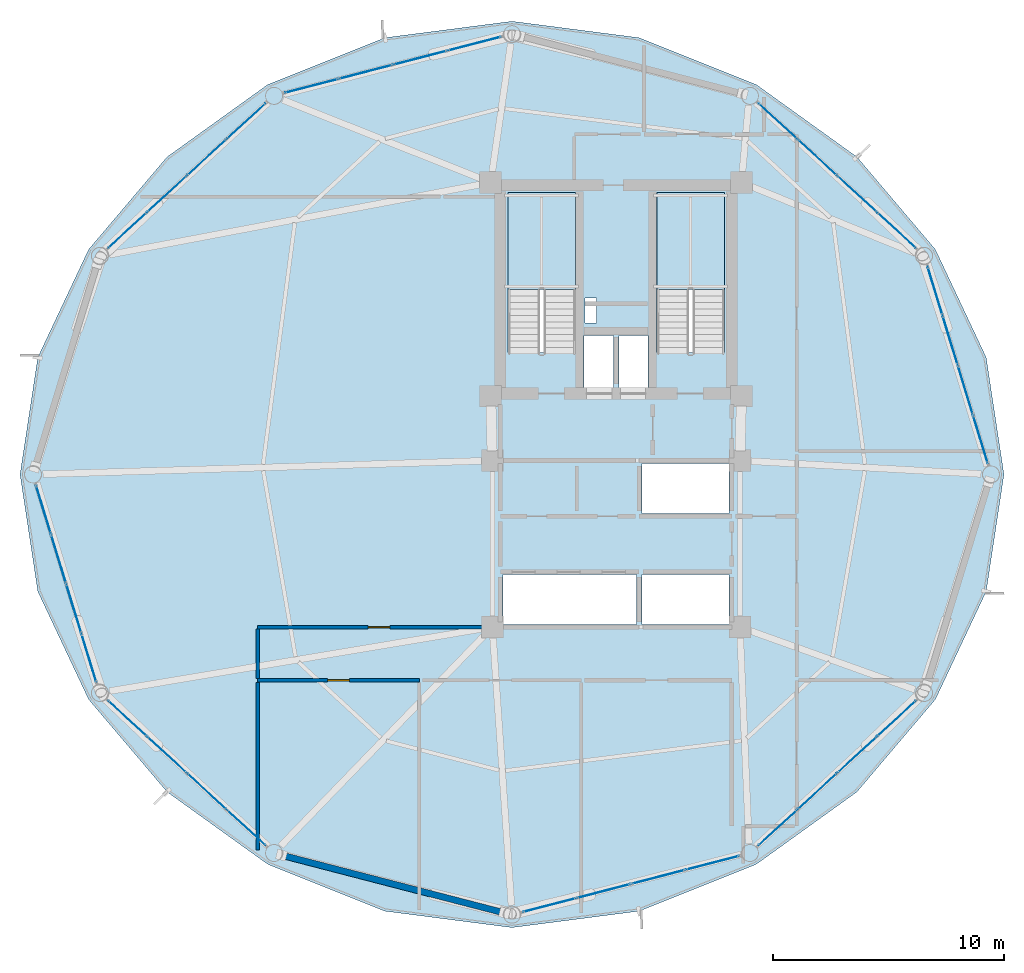
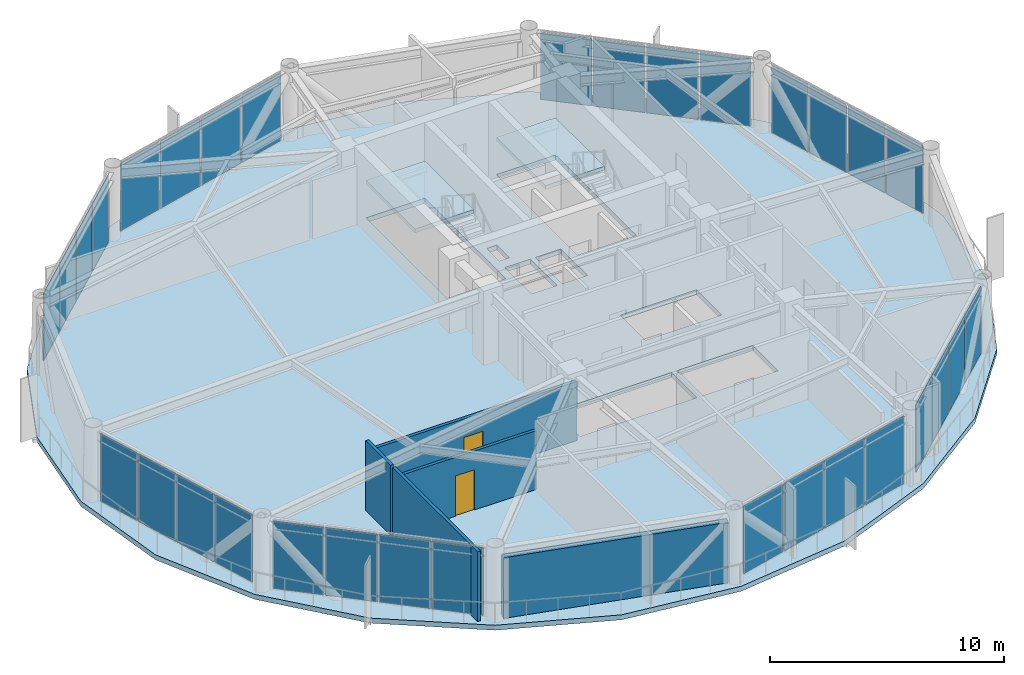
# One storey, part 21 of 26: 32 plates, 5 walls, 3 slabs, 2 doors, 2 openings, 10 elements without a shape of their own.
"""IFC4 building model written with IfcOpenShell, lengths in metres."""

from ifc_helpers import new_model, si_unit, direction, frame, frame_2d, origin, origin_2d, place, context, subcontext, project, spatial, polyline, rectangle, outline, extrude, source, transform, mapped, material, layer, layer_set, type_object, type_shapes, element, fill, aggregate, save


model = new_model("IFC4")

# Units and contexts
model_context = context("Model", 3, precision=1e-05, world=origin(), true_north=direction((0.0, 1.0)))
body_context = subcontext(model_context, "Body", "Model", "MODEL_VIEW")
ifc_project = project(units=[si_unit("LENGTHUNIT", "METRE"), si_unit("AREAUNIT", "SQUARE_METRE"), si_unit("VOLUMEUNIT", "CUBIC_METRE"), si_unit("PLANEANGLEUNIT", "RADIAN"), si_unit("MASSUNIT", "GRAM", prefix="KILO")], contexts=[model_context])

# Site, building, storey
site_placement = place(None, origin())
site = spatial("IfcSite", under=ifc_project, at=site_placement, CompositionType="ELEMENT")
building_placement = place(site_placement, origin())
building = spatial("IfcBuilding", under=site, at=building_placement, Name="Varnakorn Sky Granary", CompositionType="ELEMENT")
storey_placement = place(building_placement, frame((0.0, 0.0, 153.89990234375)))
storey = spatial("IfcBuildingStorey", under=building, at=storey_placement, Name="L38", CompositionType="ELEMENT", Elevation=153.89990234375)

# Stair, slab
ifc_material_1 = material(Name="Concrete C40/50", Category="concrete")
stair_type = type_object("IfcStairType", Name="ST-MAIN-ASSEMBLY", PredefinedType="HALF_TURN_STAIR", material=ifc_material_1)
stair_1_placement = place(storey_placement, origin())
stair_1 = element("IfcStair", 1, at=stair_1_placement, inside=storey, type_object=stair_type, Name="L38 Protected Exit Stair ST-1", PredefinedType="HALF_TURN_STAIR")
ifc_layer_1 = layer(ifc_material_1, 0.199951171875, Name="Concrete C40/50")
ifc_layer_set_1 = layer_set([ifc_layer_1], Name="Concrete C40/50")
slab_type_1 = type_object("IfcSlabType", Name="ST-MAIN-LAND", PredefinedType="LANDING", material=ifc_layer_set_1)
slab_1_placement = place(storey_placement, frame((0.0, 0.0, 1.75)))
slab_1 = element("IfcSlab", 2, at=slab_1_placement, type_object=slab_type_1, Name="ST-1 landing 1", PredefinedType="LANDING", context=body_context, shape_type="SweptSolid", body=[
    extrude(outline(polyline([(1.239990234375, 8.0), (1.239990234375, 12.179931640625), (-1.669921875, 12.179931640625), (-1.669921875, 8.0), (1.239990234375, 8.0)])), origin(), (0.0, 0.0, 1.0), 0.2001953125),
])
aggregate(stair_1, [slab_1])

stair_2_placement = place(storey_placement, origin())
stair_2 = element("IfcStair", 3, at=stair_2_placement, inside=storey, type_object=stair_type, Name="L38 Protected Exit Stair ST-2", PredefinedType="HALF_TURN_STAIR")
slab_2_placement = place(storey_placement, frame((0.0, 0.0, 1.75)))
slab_2 = element("IfcSlab", 4, at=slab_2_placement, type_object=slab_type_1, Name="ST-2 landing 1", PredefinedType="LANDING", context=body_context, shape_type="SweptSolid", body=[
    extrude(outline(polyline([(7.679931640625, 8.0), (7.679931640625, 12.179931640625), (4.77001953125, 12.179931640625), (4.77001953125, 8.0), (7.679931640625, 8.0)])), origin(), (0.0, 0.0, 1.0), 0.2001953125),
])
aggregate(stair_2, [slab_2])

# Slab
ifc_material_2 = material(Name="Concrete C50/60", Category="concrete")
ifc_layer_2 = layer(ifc_material_2, 0.260009765625, Name="Concrete C50/60")
ifc_layer_set_2 = layer_set([ifc_layer_2], Name="Concrete C50/60")
slab_type_2 = type_object("IfcSlabType", Name="ST-SL-TWR-260", PredefinedType="FLOOR", material=ifc_layer_set_2)
slab_3_placement = place(storey_placement, frame((0.0, 0.0, -0.260009765625)))
element("IfcSlab", 5, at=slab_3_placement, inside=storey, type_object=slab_type_2, Name="Level L38 Structural Floor Slab", PredefinedType="FLOOR", context=body_context, shape_type="SweptSolid", body=[
    extrude(outline(polyline([(19.76708984375, 0.0), (18.998779296875, 5.05859375), (16.80078125, 9.7275390625), (13.410888671875, 13.724853515625), (9.06591796875, 16.848388671875), (3.99267578125, 18.87890625), (-1.5, 19.590087890625), (-6.99267578125, 18.87890625), (-12.06591796875, 16.848388671875), (-16.410888671875, 13.724853515625), (-19.80078125, 9.7275390625), (-21.998779296875, 5.05859375), (-22.76708984375, 0.0), (-21.998779296875, -5.05859375), (-19.80078125, -9.7275390625), (-16.410888671875, -13.724853515625), (-12.06591796875, -16.848388671875), (-6.99267578125, -18.87890625), (-1.5, -19.590087890625), (3.99267578125, -18.87890625), (9.06591796875, -16.848388671875), (13.410888671875, -13.724853515625), (16.80078125, -9.7275390625), (18.998779296875, -5.05859375), (19.76708984375, 0.0)]), holes=[polyline([(1.239990234375, 5.27490234375), (1.239990234375, 12.179931640625), (-1.669921875, 12.179931640625), (-1.669921875, 5.27490234375), (1.239990234375, 5.27490234375)]), polyline([(7.679931640625, 5.27490234375), (7.679931640625, 12.179931640625), (4.77001953125, 12.179931640625), (4.77001953125, 5.27490234375), (7.679931640625, 5.27490234375)]), polyline([(1.659912109375, 6.550048828125), (2.14990234375, 6.550048828125), (2.14990234375, 7.6201171875), (1.659912109375, 7.6201171875), (1.659912109375, 6.550048828125)]), polyline([(1.6201171875, 3.739990234375), (2.8798828125, 3.739990234375), (2.8798828125, 6.010009765625), (1.6201171875, 6.010009765625), (1.6201171875, 3.739990234375)]), polyline([(3.1201171875, 3.739990234375), (4.3798828125, 3.739990234375), (4.3798828125, 6.010009765625), (3.1201171875, 6.010009765625), (3.1201171875, 3.739990234375)]), polyline([(4.1201171875, -1.679931640625), (7.8798828125, -1.679931640625), (7.8798828125, 0.47998046875), (4.1201171875, 0.47998046875), (4.1201171875, -1.679931640625)]), polyline([(-1.8798828125, -6.47998046875), (3.8798828125, -6.47998046875), (3.8798828125, -4.320068359375), (-1.8798828125, -4.320068359375), (-1.8798828125, -6.47998046875)]), polyline([(4.1201171875, -6.47998046875), (7.8798828125, -6.47998046875), (7.8798828125, -4.320068359375), (4.1201171875, -4.320068359375), (4.1201171875, -6.47998046875)])]), origin(), (0.0, 0.0, 1.0), 0.260009765625),
])

# Curtain wall, plates
ifc_material_3 = material(Name="Anodised Bronze Aluminium Alloy 6063-T6", Category="aluminium")
ifc_layer_3 = layer(ifc_material_3, 0.179931640625, Name="Anodised Bronze Aluminium Alloy 6063-T6")
ifc_layer_set_3 = layer_set([ifc_layer_3], Name="Anodised Bronze Aluminium Alloy 6063-T6")
curtain_wall_type = type_object("IfcCurtainWallType", Name="CW-FRM-2", PredefinedType="USERDEFINED", material=ifc_layer_set_3)
curtain_wall_1_placement = place(storey_placement, origin())
curtain_wall_1 = element("IfcCurtainWall", 6, at=curtain_wall_1_placement, inside=storey, type_object=curtain_wall_type, Name="Unitised Curtain Wall CW4 CW-L38-B02", ObjectType="CURTAIN WALL", PredefinedType="USERDEFINED")
ifc_material_4 = material(Name="Low-E Tinted Laminated Glass", Category="glass")
ifc_layer_4 = layer(ifc_material_4, 0.02587890625, Name="Low-E Tinted Laminated Glass")
ifc_layer_set_4 = layer_set([ifc_layer_4], Name="Low-E Tinted Laminated Glass")
plate_type = type_object("IfcPlateType", Name="CW-FRM-2-PNL", PredefinedType="CURTAIN_PANEL")
shared_shape_1 = source(origin(), body_context, "Body", "SweptSolid", [
    extrude(rectangle(XDim=2.231689453125, YDim=0.02587890625, at=origin_2d()), origin(), (0.0, 0.0, 1.0), 3.510009765625),
])
plate_1_placement = place(storey_placement, frame((9.9892578125, 15.271728515625, 0.06494140625), z_axis=(0.0, 0.0, 1.0), x_axis=(0.736468537477, -0.676471797865, 0.0)))
plate_1 = element("IfcPlate", 7, at=plate_1_placement, type_object=plate_type, material=ifc_layer_set_4, Name="CW4 vision glazing unit 1.1", PredefinedType="CURTAIN_PANEL", context=body_context, shape_type="MappedRepresentation", body=[
    mapped(shared_shape_1, transform((0.0, 0.0, 0.0), x_axis=(1.0, 0.0, 0.0), y_axis=(0.0, 1.0, 0.0), z_axis=(0.0, 0.0, 1.0), scale=1.0)),
])
ifc_material_5 = material(Name="Opaque Insulated Aluminium Shadow-Box Unit", Category="aluminium")
ifc_layer_5 = layer(ifc_material_5, 0.02587890625, Name="Opaque Insulated Aluminium Shadow-Box Unit")
ifc_layer_set_5 = layer_set([ifc_layer_5], Name="Opaque Insulated Aluminium Shadow-Box Unit")
plate_2_placement = place(storey_placement, frame((15.126220703125, 10.552978515625, 0.06494140625), z_axis=(0.0, 0.0, 1.0), x_axis=(0.736468537477, -0.676471797865, 0.0)))
plate_2 = element("IfcPlate", 8, at=plate_2_placement, type_object=plate_type, material=ifc_layer_set_5, Name="CW4 opaque insulated shadow-box unit 4.1", PredefinedType="CURTAIN_PANEL", context=body_context, shape_type="MappedRepresentation", body=[
    mapped(shared_shape_1, transform((0.0, 0.0, 0.0), x_axis=(1.0, 0.0, 0.0), y_axis=(0.0, 1.0, 0.0), z_axis=(0.0, 0.0, 1.0), scale=1.0)),
])

curtain_wall_2_placement = place(storey_placement, origin())
curtain_wall_2 = element("IfcCurtainWall", 9, at=curtain_wall_2_placement, inside=storey, type_object=curtain_wall_type, Name="Unitised Curtain Wall CW4 CW-L38-B05", ObjectType="CURTAIN WALL", PredefinedType="USERDEFINED")
plate_3_placement = place(storey_placement, frame((-18.126220703125, 10.552978515625, 0.06494140625), z_axis=(0.0, 0.0, 1.0), x_axis=(0.736468537477, 0.676471797865, 0.0)))
plate_3 = element("IfcPlate", 10, at=plate_3_placement, type_object=plate_type, material=ifc_layer_set_5, Name="CW4 opaque insulated shadow-box unit 1.1", PredefinedType="CURTAIN_PANEL", context=body_context, shape_type="MappedRepresentation", body=[
    mapped(shared_shape_1, transform((0.0, 0.0, 0.0), x_axis=(1.0, 0.0, 0.0), y_axis=(0.0, 1.0, 0.0), z_axis=(0.0, 0.0, 1.0), scale=1.0)),
])
plate_4_placement = place(storey_placement, frame((-12.9892578125, 15.271728515625, 0.06494140625), z_axis=(0.0, 0.0, 1.0), x_axis=(0.736468537477, 0.676471797865, 0.0)))
plate_4 = element("IfcPlate", 11, at=plate_4_placement, type_object=plate_type, material=ifc_layer_set_4, Name="CW4 vision glazing unit 4.1", PredefinedType="CURTAIN_PANEL", context=body_context, shape_type="MappedRepresentation", body=[
    mapped(shared_shape_1, transform((0.0, 0.0, 0.0), x_axis=(1.0, 0.0, 0.0), y_axis=(0.0, 1.0, 0.0), z_axis=(0.0, 0.0, 1.0), scale=1.0)),
])

curtain_wall_3_placement = place(storey_placement, origin())
curtain_wall_3 = element("IfcCurtainWall", 12, at=curtain_wall_3_placement, inside=storey, type_object=curtain_wall_type, Name="Unitised Curtain Wall CW4 CW-L38-B08", ObjectType="CURTAIN WALL", PredefinedType="USERDEFINED")
plate_5_placement = place(storey_placement, frame((-12.9892578125, -15.271728515625, 0.06494140625), z_axis=(0.0, 0.0, 1.0), x_axis=(-0.736468537477, 0.676471797865, 0.0)))
plate_5 = element("IfcPlate", 13, at=plate_5_placement, type_object=plate_type, material=ifc_layer_set_4, Name="CW4 vision glazing unit 1.1", PredefinedType="CURTAIN_PANEL", context=body_context, shape_type="MappedRepresentation", body=[
    mapped(shared_shape_1, transform((0.0, 0.0, 0.0), x_axis=(1.0, 0.0, 0.0), y_axis=(0.0, 1.0, 0.0), z_axis=(0.0, 0.0, 1.0), scale=1.0)),
])
plate_6_placement = place(storey_placement, frame((-18.126220703125, -10.552978515625, 0.06494140625), z_axis=(0.0, 0.0, 1.0), x_axis=(-0.736468537477, 0.676471797865, 0.0)))
plate_6 = element("IfcPlate", 14, at=plate_6_placement, type_object=plate_type, material=ifc_layer_set_5, Name="CW4 opaque insulated shadow-box unit 4.1", PredefinedType="CURTAIN_PANEL", context=body_context, shape_type="MappedRepresentation", body=[
    mapped(shared_shape_1, transform((0.0, 0.0, 0.0), x_axis=(1.0, 0.0, 0.0), y_axis=(0.0, 1.0, 0.0), z_axis=(0.0, 0.0, 1.0), scale=1.0)),
])

curtain_wall_4_placement = place(storey_placement, origin())
curtain_wall_4 = element("IfcCurtainWall", 15, at=curtain_wall_4_placement, inside=storey, type_object=curtain_wall_type, Name="Unitised Curtain Wall CW4 CW-L38-B11", ObjectType="CURTAIN WALL", PredefinedType="USERDEFINED")
plate_7_placement = place(storey_placement, frame((15.126220703125, -10.552978515625, 0.06494140625), z_axis=(0.0, 0.0, 1.0), x_axis=(-0.736468537477, -0.676471797865, 0.0)))
plate_7 = element("IfcPlate", 16, at=plate_7_placement, type_object=plate_type, material=ifc_layer_set_5, Name="CW4 opaque insulated shadow-box unit 1.1", PredefinedType="CURTAIN_PANEL", context=body_context, shape_type="MappedRepresentation", body=[
    mapped(shared_shape_1, transform((0.0, 0.0, 0.0), x_axis=(1.0, 0.0, 0.0), y_axis=(0.0, 1.0, 0.0), z_axis=(0.0, 0.0, 1.0), scale=1.0)),
])
plate_8_placement = place(storey_placement, frame((9.9892578125, -15.271728515625, 0.06494140625), z_axis=(0.0, 0.0, 1.0), x_axis=(-0.736468537477, -0.676471797865, 0.0)))
plate_8 = element("IfcPlate", 17, at=plate_8_placement, type_object=plate_type, material=ifc_layer_set_4, Name="CW4 vision glazing unit 4.1", PredefinedType="CURTAIN_PANEL", context=body_context, shape_type="MappedRepresentation", body=[
    mapped(shared_shape_1, transform((0.0, 0.0, 0.0), x_axis=(1.0, 0.0, 0.0), y_axis=(0.0, 1.0, 0.0), z_axis=(0.0, 0.0, 1.0), scale=1.0)),
])

curtain_wall_5_placement = place(storey_placement, origin())
curtain_wall_5 = element("IfcCurtainWall", 18, at=curtain_wall_5_placement, inside=storey, type_object=curtain_wall_type, Name="Unitised Curtain Wall CW4 CW-L38-B01", ObjectType="CURTAIN WALL", PredefinedType="USERDEFINED")
shared_shape_2 = source(origin(), body_context, "Body", "SweptSolid", [
    extrude(rectangle(XDim=2.145751953125, YDim=0.02587890625, at=origin_2d()), origin(), (0.0, 0.0, 1.0), 3.510009765625),
])
plate_9_placement = place(storey_placement, frame((16.787841796875, 7.93798828125, 0.06494140625), z_axis=(0.0, 0.0, 1.0), x_axis=(0.29261893321, -0.956229135682, 0.0)))
plate_9 = element("IfcPlate", 19, at=plate_9_placement, type_object=plate_type, material=ifc_layer_set_5, Name="CW4 opaque insulated shadow-box unit 1.1", PredefinedType="CURTAIN_PANEL", context=body_context, shape_type="MappedRepresentation", body=[
    mapped(shared_shape_2, transform((0.0, 0.0, 0.0), x_axis=(1.0, 0.0, 0.0), y_axis=(0.0, 1.0, 0.0), z_axis=(0.0, 0.0, 1.0), scale=1.0)),
])
plate_10_placement = place(storey_placement, frame((18.753662109375, 1.5146484375, 0.06494140625), z_axis=(0.0, 0.0, 1.0), x_axis=(0.29261893321, -0.956229135682, 0.0)))
plate_10 = element("IfcPlate", 20, at=plate_10_placement, type_object=plate_type, material=ifc_layer_set_4, Name="CW4 vision glazing unit 4.1", PredefinedType="CURTAIN_PANEL", context=body_context, shape_type="MappedRepresentation", body=[
    mapped(shared_shape_2, transform((0.0, 0.0, 0.0), x_axis=(1.0, 0.0, 0.0), y_axis=(0.0, 1.0, 0.0), z_axis=(0.0, 0.0, 1.0), scale=1.0)),
])

curtain_wall_6_placement = place(storey_placement, origin())
curtain_wall_6 = element("IfcCurtainWall", 21, at=curtain_wall_6_placement, inside=storey, type_object=curtain_wall_type, Name="Unitised Curtain Wall CW4 CW-L38-B07", ObjectType="CURTAIN WALL", PredefinedType="USERDEFINED")
plate_11_placement = place(storey_placement, frame((-19.787841796875, -7.93798828125, 0.06494140625), z_axis=(0.0, 0.0, 1.0), x_axis=(-0.29261893321, 0.956229135682, 0.0)))
plate_11 = element("IfcPlate", 22, at=plate_11_placement, type_object=plate_type, material=ifc_layer_set_5, Name="CW4 opaque insulated shadow-box unit 1.1", PredefinedType="CURTAIN_PANEL", context=body_context, shape_type="MappedRepresentation", body=[
    mapped(shared_shape_2, transform((0.0, 0.0, 0.0), x_axis=(1.0, 0.0, 0.0), y_axis=(0.0, 1.0, 0.0), z_axis=(0.0, 0.0, 1.0), scale=1.0)),
])
plate_12_placement = place(storey_placement, frame((-21.753662109375, -1.5146484375, 0.06494140625), z_axis=(0.0, 0.0, 1.0), x_axis=(-0.29261893321, 0.956229135682, 0.0)))
plate_12 = element("IfcPlate", 23, at=plate_12_placement, type_object=plate_type, material=ifc_layer_set_4, Name="CW4 vision glazing unit 4.1", PredefinedType="CURTAIN_PANEL", context=body_context, shape_type="MappedRepresentation", body=[
    mapped(shared_shape_2, transform((0.0, 0.0, 0.0), x_axis=(1.0, 0.0, 0.0), y_axis=(0.0, 1.0, 0.0), z_axis=(0.0, 0.0, 1.0), scale=1.0)),
])

# Plate
shared_shape_3 = source(origin(), body_context, "Body", "SweptSolid", [
    extrude(rectangle(XDim=2.180908203125, YDim=0.02587890625, at=origin_2d()), origin(), (0.0, 0.0, 1.0), 3.510009765625),
])
plate_13_placement = place(storey_placement, frame((17.44140625, 5.802490234375, 0.06494140625), z_axis=(0.0, 0.0, 1.0), x_axis=(0.29261893321, -0.956229135682, 0.0)))
plate_13 = element("IfcPlate", 24, at=plate_13_placement, type_object=plate_type, material=ifc_layer_set_5, Name="CW4 opaque insulated shadow-box unit 2.1", PredefinedType="CURTAIN_PANEL", context=body_context, shape_type="MappedRepresentation", body=[
    mapped(shared_shape_3, transform((0.0, 0.0, 0.0), x_axis=(1.0, 0.0, 0.0), y_axis=(0.0, 1.0, 0.0), z_axis=(0.0, 0.0, 1.0), scale=1.0)),
])

plate_14_placement = place(storey_placement, frame((18.10009765625, 3.650146484375, 0.06494140625), z_axis=(0.0, 0.0, 1.0), x_axis=(0.29261893321, -0.956229135682, 0.0)))
plate_14 = element("IfcPlate", 25, at=plate_14_placement, type_object=plate_type, material=ifc_layer_set_4, Name="CW4 vision glazing unit 3.1", PredefinedType="CURTAIN_PANEL", context=body_context, shape_type="MappedRepresentation", body=[
    mapped(shared_shape_3, transform((0.0, 0.0, 0.0), x_axis=(1.0, 0.0, 0.0), y_axis=(0.0, 1.0, 0.0), z_axis=(0.0, 0.0, 1.0), scale=1.0)),
])

aggregate(curtain_wall_5, [plate_9, plate_13, plate_14, plate_10])

plate_15_placement = place(storey_placement, frame((-20.44140625, -5.802490234375, 0.06494140625), z_axis=(0.0, 0.0, 1.0), x_axis=(-0.29261893321, 0.956229135682, 0.0)))
plate_15 = element("IfcPlate", 26, at=plate_15_placement, type_object=plate_type, material=ifc_layer_set_5, Name="CW4 opaque insulated shadow-box unit 2.1", PredefinedType="CURTAIN_PANEL", context=body_context, shape_type="MappedRepresentation", body=[
    mapped(shared_shape_3, transform((0.0, 0.0, 0.0), x_axis=(1.0, 0.0, 0.0), y_axis=(0.0, 1.0, 0.0), z_axis=(0.0, 0.0, 1.0), scale=1.0)),
])

plate_16_placement = place(storey_placement, frame((-21.10009765625, -3.650146484375, 0.06494140625), z_axis=(0.0, 0.0, 1.0), x_axis=(-0.29261893321, 0.956229135682, 0.0)))
plate_16 = element("IfcPlate", 27, at=plate_16_placement, type_object=plate_type, material=ifc_layer_set_4, Name="CW4 vision glazing unit 3.1", PredefinedType="CURTAIN_PANEL", context=body_context, shape_type="MappedRepresentation", body=[
    mapped(shared_shape_3, transform((0.0, 0.0, 0.0), x_axis=(1.0, 0.0, 0.0), y_axis=(0.0, 1.0, 0.0), z_axis=(0.0, 0.0, 1.0), scale=1.0)),
])

aggregate(curtain_wall_6, [plate_11, plate_15, plate_16, plate_12])

shared_shape_4 = source(origin(), body_context, "Body", "SweptSolid", [
    extrude(rectangle(XDim=2.266845703125, YDim=0.02587890625, at=origin_2d()), origin(), (0.0, 0.0, 1.0), 3.510009765625),
])
plate_17_placement = place(storey_placement, frame((11.697265625, 13.70263671875, 0.06494140625), z_axis=(0.0, 0.0, 1.0), x_axis=(0.736468537477, -0.676471797865, 0.0)))
plate_17 = element("IfcPlate", 28, at=plate_17_placement, type_object=plate_type, material=ifc_layer_set_4, Name="CW4 vision glazing unit 2.1", PredefinedType="CURTAIN_PANEL", context=body_context, shape_type="MappedRepresentation", body=[
    mapped(shared_shape_4, transform((0.0, 0.0, 0.0), x_axis=(1.0, 0.0, 0.0), y_axis=(0.0, 1.0, 0.0), z_axis=(0.0, 0.0, 1.0), scale=1.0)),
])

plate_18_placement = place(storey_placement, frame((13.418212890625, 12.1220703125, 0.06494140625), z_axis=(0.0, 0.0, 1.0), x_axis=(0.736468537477, -0.676471797865, 0.0)))
plate_18 = element("IfcPlate", 29, at=plate_18_placement, type_object=plate_type, material=ifc_layer_set_5, Name="CW4 opaque insulated shadow-box unit 3.1", PredefinedType="CURTAIN_PANEL", context=body_context, shape_type="MappedRepresentation", body=[
    mapped(shared_shape_4, transform((0.0, 0.0, 0.0), x_axis=(1.0, 0.0, 0.0), y_axis=(0.0, 1.0, 0.0), z_axis=(0.0, 0.0, 1.0), scale=1.0)),
])

aggregate(curtain_wall_1, [plate_1, plate_17, plate_18, plate_2])

plate_19_placement = place(storey_placement, frame((-16.418212890625, 12.1220703125, 0.06494140625), z_axis=(0.0, 0.0, 1.0), x_axis=(0.736468537477, 0.676471797865, 0.0)))
plate_19 = element("IfcPlate", 30, at=plate_19_placement, type_object=plate_type, material=ifc_layer_set_5, Name="CW4 opaque insulated shadow-box unit 2.1", PredefinedType="CURTAIN_PANEL", context=body_context, shape_type="MappedRepresentation", body=[
    mapped(shared_shape_4, transform((0.0, 0.0, 0.0), x_axis=(1.0, 0.0, 0.0), y_axis=(0.0, 1.0, 0.0), z_axis=(0.0, 0.0, 1.0), scale=1.0)),
])

plate_20_placement = place(storey_placement, frame((-14.697265625, 13.70263671875, 0.06494140625), z_axis=(0.0, 0.0, 1.0), x_axis=(0.736468537477, 0.676471797865, 0.0)))
plate_20 = element("IfcPlate", 31, at=plate_20_placement, type_object=plate_type, material=ifc_layer_set_4, Name="CW4 vision glazing unit 3.1", PredefinedType="CURTAIN_PANEL", context=body_context, shape_type="MappedRepresentation", body=[
    mapped(shared_shape_4, transform((0.0, 0.0, 0.0), x_axis=(1.0, 0.0, 0.0), y_axis=(0.0, 1.0, 0.0), z_axis=(0.0, 0.0, 1.0), scale=1.0)),
])

aggregate(curtain_wall_2, [plate_3, plate_19, plate_20, plate_4])

plate_21_placement = place(storey_placement, frame((-14.697265625, -13.70263671875, 0.06494140625), z_axis=(0.0, 0.0, 1.0), x_axis=(-0.736468537477, 0.676471797865, 0.0)))
plate_21 = element("IfcPlate", 32, at=plate_21_placement, type_object=plate_type, material=ifc_layer_set_4, Name="CW4 vision glazing unit 2.1", PredefinedType="CURTAIN_PANEL", context=body_context, shape_type="MappedRepresentation", body=[
    mapped(shared_shape_4, transform((0.0, 0.0, 0.0), x_axis=(1.0, 0.0, 0.0), y_axis=(0.0, 1.0, 0.0), z_axis=(0.0, 0.0, 1.0), scale=1.0)),
])

plate_22_placement = place(storey_placement, frame((-16.418212890625, -12.1220703125, 0.06494140625), z_axis=(0.0, 0.0, 1.0), x_axis=(-0.736468537477, 0.676471797865, 0.0)))
plate_22 = element("IfcPlate", 33, at=plate_22_placement, type_object=plate_type, material=ifc_layer_set_5, Name="CW4 opaque insulated shadow-box unit 3.1", PredefinedType="CURTAIN_PANEL", context=body_context, shape_type="MappedRepresentation", body=[
    mapped(shared_shape_4, transform((0.0, 0.0, 0.0), x_axis=(1.0, 0.0, 0.0), y_axis=(0.0, 1.0, 0.0), z_axis=(0.0, 0.0, 1.0), scale=1.0)),
])

aggregate(curtain_wall_3, [plate_5, plate_21, plate_22, plate_6])

plate_23_placement = place(storey_placement, frame((13.418212890625, -12.1220703125, 0.06494140625), z_axis=(0.0, 0.0, 1.0), x_axis=(-0.736468537477, -0.676471797865, 0.0)))
plate_23 = element("IfcPlate", 34, at=plate_23_placement, type_object=plate_type, material=ifc_layer_set_5, Name="CW4 opaque insulated shadow-box unit 2.1", PredefinedType="CURTAIN_PANEL", context=body_context, shape_type="MappedRepresentation", body=[
    mapped(shared_shape_4, transform((0.0, 0.0, 0.0), x_axis=(1.0, 0.0, 0.0), y_axis=(0.0, 1.0, 0.0), z_axis=(0.0, 0.0, 1.0), scale=1.0)),
])

plate_24_placement = place(storey_placement, frame((11.697265625, -13.70263671875, 0.06494140625), z_axis=(0.0, 0.0, 1.0), x_axis=(-0.736468537477, -0.676471797865, 0.0)))
plate_24 = element("IfcPlate", 35, at=plate_24_placement, type_object=plate_type, material=ifc_layer_set_4, Name="CW4 vision glazing unit 3.1", PredefinedType="CURTAIN_PANEL", context=body_context, shape_type="MappedRepresentation", body=[
    mapped(shared_shape_4, transform((0.0, 0.0, 0.0), x_axis=(1.0, 0.0, 0.0), y_axis=(0.0, 1.0, 0.0), z_axis=(0.0, 0.0, 1.0), scale=1.0)),
])

aggregate(curtain_wall_4, [plate_7, plate_23, plate_24, plate_8])

# Curtain wall, plates
curtain_wall_7_placement = place(storey_placement, origin())
curtain_wall_7 = element("IfcCurtainWall", 36, at=curtain_wall_7_placement, inside=storey, type_object=curtain_wall_type, Name="Unitised Curtain Wall CW4 CW-L38-B04", ObjectType="CURTAIN WALL", PredefinedType="USERDEFINED")
shared_shape_5 = source(origin(), body_context, "Body", "SweptSolid", [
    extrude(rectangle(XDim=2.332275390625, YDim=0.02587890625, at=origin_2d()), origin(), (0.0, 0.0, 1.0), 3.510009765625),
])
plate_25_placement = place(storey_placement, frame((-10.16748046875, 16.793212890625, 0.06494140625), z_axis=(0.0, 0.0, 1.0), x_axis=(0.968003911792, 0.250935104668, 0.0)))
plate_25 = element("IfcPlate", 37, at=plate_25_placement, type_object=plate_type, material=ifc_layer_set_4, Name="CW4 vision glazing unit 1.1", PredefinedType="CURTAIN_PANEL", context=body_context, shape_type="MappedRepresentation", body=[
    mapped(shared_shape_5, transform((0.0, 0.0, 0.0), x_axis=(1.0, 0.0, 0.0), y_axis=(0.0, 1.0, 0.0), z_axis=(0.0, 0.0, 1.0), scale=1.0)),
])
plate_26_placement = place(storey_placement, frame((-3.12353515625, 18.619140625, 0.06494140625), z_axis=(0.0, 0.0, 1.0), x_axis=(0.968003911792, 0.250935104668, 0.0)))
plate_26 = element("IfcPlate", 38, at=plate_26_placement, type_object=plate_type, material=ifc_layer_set_5, Name="CW4 opaque insulated shadow-box unit 4.1", PredefinedType="CURTAIN_PANEL", context=body_context, shape_type="MappedRepresentation", body=[
    mapped(shared_shape_5, transform((0.0, 0.0, 0.0), x_axis=(1.0, 0.0, 0.0), y_axis=(0.0, 1.0, 0.0), z_axis=(0.0, 0.0, 1.0), scale=1.0)),
])

curtain_wall_8_placement = place(storey_placement, origin())
curtain_wall_8 = element("IfcCurtainWall", 39, at=curtain_wall_8_placement, inside=storey, type_object=curtain_wall_type, Name="Unitised Curtain Wall CW4 CW-L38-B10", ObjectType="CURTAIN WALL", PredefinedType="USERDEFINED")
plate_27_placement = place(storey_placement, frame((7.16748046875, -16.793212890625, 0.06494140625), z_axis=(0.0, 0.0, 1.0), x_axis=(-0.968003911792, -0.250935104668, 0.0)))
plate_27 = element("IfcPlate", 40, at=plate_27_placement, type_object=plate_type, material=ifc_layer_set_4, Name="CW4 vision glazing unit 1.1", PredefinedType="CURTAIN_PANEL", context=body_context, shape_type="MappedRepresentation", body=[
    mapped(shared_shape_5, transform((0.0, 0.0, 0.0), x_axis=(1.0, 0.0, 0.0), y_axis=(0.0, 1.0, 0.0), z_axis=(0.0, 0.0, 1.0), scale=1.0)),
])
plate_28_placement = place(storey_placement, frame((0.12353515625, -18.619140625, 0.06494140625), z_axis=(0.0, 0.0, 1.0), x_axis=(-0.968003911792, -0.250935104668, 0.0)))
plate_28 = element("IfcPlate", 41, at=plate_28_placement, type_object=plate_type, material=ifc_layer_set_5, Name="CW4 opaque insulated shadow-box unit 4.1", PredefinedType="CURTAIN_PANEL", context=body_context, shape_type="MappedRepresentation", body=[
    mapped(shared_shape_5, transform((0.0, 0.0, 0.0), x_axis=(1.0, 0.0, 0.0), y_axis=(0.0, 1.0, 0.0), z_axis=(0.0, 0.0, 1.0), scale=1.0)),
])

# Plate
shared_shape_6 = source(origin(), body_context, "Body", "SweptSolid", [
    extrude(rectangle(XDim=2.3671875, YDim=0.02587890625, at=origin_2d()), origin(), (0.0, 0.0, 1.0), 3.510009765625),
])
type_shapes(plate_type, [shared_shape_1, shared_shape_2, shared_shape_3, shared_shape_4, shared_shape_5, shared_shape_6])
plate_29_placement = place(storey_placement, frame((-7.8251953125, 17.400390625, 0.06494140625), z_axis=(0.0, 0.0, 1.0), x_axis=(0.968003911792, 0.250935104668, 0.0)))
plate_29 = element("IfcPlate", 42, at=plate_29_placement, type_object=plate_type, material=ifc_layer_set_4, Name="CW4 vision glazing unit 2.1", PredefinedType="CURTAIN_PANEL", context=body_context, shape_type="MappedRepresentation", body=[
    mapped(shared_shape_6, transform((0.0, 0.0, 0.0), x_axis=(1.0, 0.0, 0.0), y_axis=(0.0, 1.0, 0.0), z_axis=(0.0, 0.0, 1.0), scale=1.0)),
])

plate_30_placement = place(storey_placement, frame((-5.4658203125, 18.011962890625, 0.06494140625), z_axis=(0.0, 0.0, 1.0), x_axis=(0.968003911792, 0.250935104668, 0.0)))
plate_30 = element("IfcPlate", 43, at=plate_30_placement, type_object=plate_type, material=ifc_layer_set_5, Name="CW4 opaque insulated shadow-box unit 3.1", PredefinedType="CURTAIN_PANEL", context=body_context, shape_type="MappedRepresentation", body=[
    mapped(shared_shape_6, transform((0.0, 0.0, 0.0), x_axis=(1.0, 0.0, 0.0), y_axis=(0.0, 1.0, 0.0), z_axis=(0.0, 0.0, 1.0), scale=1.0)),
])

aggregate(curtain_wall_7, [plate_25, plate_29, plate_30, plate_26])

plate_31_placement = place(storey_placement, frame((4.8251953125, -17.400390625, 0.06494140625), z_axis=(0.0, 0.0, 1.0), x_axis=(-0.968003911792, -0.250935104668, 0.0)))
plate_31 = element("IfcPlate", 44, at=plate_31_placement, type_object=plate_type, material=ifc_layer_set_4, Name="CW4 vision glazing unit 2.1", PredefinedType="CURTAIN_PANEL", context=body_context, shape_type="MappedRepresentation", body=[
    mapped(shared_shape_6, transform((0.0, 0.0, 0.0), x_axis=(1.0, 0.0, 0.0), y_axis=(0.0, 1.0, 0.0), z_axis=(0.0, 0.0, 1.0), scale=1.0)),
])

plate_32_placement = place(storey_placement, frame((2.4658203125, -18.011962890625, 0.06494140625), z_axis=(0.0, 0.0, 1.0), x_axis=(-0.968003911792, -0.250935104668, 0.0)))
plate_32 = element("IfcPlate", 45, at=plate_32_placement, type_object=plate_type, material=ifc_layer_set_5, Name="CW4 opaque insulated shadow-box unit 3.1", PredefinedType="CURTAIN_PANEL", context=body_context, shape_type="MappedRepresentation", body=[
    mapped(shared_shape_6, transform((0.0, 0.0, 0.0), x_axis=(1.0, 0.0, 0.0), y_axis=(0.0, 1.0, 0.0), z_axis=(0.0, 0.0, 1.0), scale=1.0)),
])

aggregate(curtain_wall_8, [plate_27, plate_31, plate_32, plate_28])

# Wall
ifc_material_6 = material(Name="Precast concrete C40/50", Category="concrete")
ifc_layer_6 = layer(ifc_material_6, 0.280029296875, Name="Precast concrete C40/50")
ifc_layer_set_6 = layer_set([ifc_layer_6], Name="Precast concrete C40/50")
wall_type_1 = type_object("IfcWallType", Name="WT-EW-CRN-280", PredefinedType="SOLIDWALL", material=ifc_layer_set_6)
wall_1_placement = place(storey_placement, frame((-1.8251953125, -18.955810546875, 0.0), z_axis=(0.0, 0.0, 1.0), x_axis=(-0.968000647597, 0.250947696248, 0.0)))
element("IfcWall", 46, at=wall_1_placement, inside=storey, type_object=wall_type_1, Name="Agritech Insulated Precast Facade Wall L38-P09", PredefinedType="SOLIDWALL", context=body_context, shape_type="SweptSolid", body=[
    extrude(rectangle(XDim=9.959228515625, YDim=0.280029296875, at=frame_2d((4.9794921875, 0.0))), origin(), (0.0, 0.0, 1.0), 3.16015625),
])

# Wall, opening, door
ifc_material_7 = material(Name="Gypsum Plasterboard on Steel Stud", Category="steel")
ifc_layer_7 = layer(ifc_material_7, 0.14990234375, Name="Gypsum Plasterboard on Steel Stud")
ifc_layer_set_7 = layer_set([ifc_layer_7], Name="Gypsum Plasterboard on Steel Stud")
wall_type_2 = type_object("IfcWallType", Name="WT-PART-150", PredefinedType="PARTITIONING", material=ifc_layer_set_7)
wall_2_placement = place(storey_placement, frame((-12.5, -8.89990234375, 0.0), z_axis=(0.0, 0.0, 1.0), x_axis=(1.0, 0.0, 0.0)))
wall_2 = element("IfcWall", 47, at=wall_2_placement, inside=storey, type_object=wall_type_2, Name="Interior Partition Wall L38-020", PredefinedType="PARTITIONING", context=body_context, shape_type="SweptSolid", body=[
    extrude(rectangle(XDim=7.0, YDim=0.14990234375, at=frame_2d((3.5, 0.0))), origin(), (0.0, 0.0, 1.0), 3.072021484375),
])
opening_1_placement = place(wall_2_placement, frame((3.02490234375, 0.0, 0.0)))
opening_1 = element("IfcOpeningElement", 48, at=opening_1_placement, cuts=wall_2, Name="Opening ID-95", PredefinedType="OPENING", context=body_context, shape_type="SweptSolid", body=[
    extrude(rectangle(XDim=0.949951171875, YDim=2.10009765625, at=frame_2d((0.47509765625, 1.050048828125))), frame((0.0, 0.0849609375, 0.0), z_axis=(0.0, -1.0, 0.0), x_axis=(1.0, 0.0, 0.0)), (0.0, 0.0, 1.0), 0.169921875),
])
ifc_material_8 = material(Name="Solid-Core Teak Veneer Leaf", Category="timber")
door_type = type_object("IfcDoorType", Name="DR-INT-950", OperationType="NOTDEFINED", PredefinedType="DOOR", material=ifc_material_8)
door_1_placement = place(opening_1_placement, origin())
door_1 = element("IfcDoor", 49, at=door_1_placement, inside=storey, type_object=door_type, Name="Interior Door L38-020-1", OperationType="SINGLE_SWING_RIGHT", OverallHeight=2.10009765625, OverallWidth=0.949951171875, PredefinedType="DOOR", context=body_context, shape_type="SweptSolid", body=[
    extrude(rectangle(XDim=0.949951171875, YDim=2.10009765625, at=frame_2d((0.47509765625, 1.050048828125))), frame((0.0, 0.02490234375, 0.0), z_axis=(0.0, -1.0, 0.0), x_axis=(1.0, 0.0, 0.0)), (0.0, 0.0, 1.0), 0.050048828125),
])
fill(opening_1, door_1)

wall_3_placement = place(storey_placement, frame((-2.159912109375, -6.60009765625, 0.0), z_axis=(0.0, 0.0, 1.0), x_axis=(-1.0, 0.0, 0.0)))
wall_3 = element("IfcWall", 50, at=wall_3_placement, inside=storey, type_object=wall_type_2, Name="Interior Partition Wall L38-024", PredefinedType="PARTITIONING", context=body_context, shape_type="SweptSolid", body=[
    extrude(rectangle(XDim=10.340087890625, YDim=0.14990234375, at=frame_2d((5.169921875, 0.0))), origin(), (0.0, 0.0, 1.0), 3.072021484375),
])
opening_2_placement = place(wall_3_placement, frame((4.614990234375, 0.0, 0.0)))
opening_2 = element("IfcOpeningElement", 51, at=opening_2_placement, cuts=wall_3, Name="Opening ID-95", PredefinedType="OPENING", context=body_context, shape_type="SweptSolid", body=[
    extrude(rectangle(XDim=0.949951171875, YDim=2.10009765625, at=frame_2d((0.47509765625, 1.050048828125))), frame((0.0, 0.0849609375, 0.0), z_axis=(0.0, -1.0, 0.0), x_axis=(1.0, 0.0, 0.0)), (0.0, 0.0, 1.0), 0.169921875),
])
door_2_placement = place(opening_2_placement, origin())
door_2 = element("IfcDoor", 52, at=door_2_placement, inside=storey, type_object=door_type, Name="Interior Door L38-024-1", OperationType="SINGLE_SWING_RIGHT", OverallHeight=2.10009765625, OverallWidth=0.949951171875, PredefinedType="DOOR", context=body_context, shape_type="SweptSolid", body=[
    extrude(rectangle(XDim=0.949951171875, YDim=2.10009765625, at=frame_2d((0.47509765625, 1.050048828125))), frame((0.0, 0.02490234375, 0.0), z_axis=(0.0, -1.0, 0.0), x_axis=(1.0, 0.0, 0.0)), (0.0, 0.0, 1.0), 0.050048828125),
])
fill(opening_2, door_2)

# Walls
wall_4_placement = place(storey_placement, frame((-12.5, -16.242919921875, 0.0), z_axis=(0.0, 0.0, 1.0), x_axis=(0.0, 1.0, 0.0)))
element("IfcWall", 53, at=wall_4_placement, inside=storey, type_object=wall_type_2, Name="Interior Partition Wall L38-035", PredefinedType="PARTITIONING", context=body_context, shape_type="SweptSolid", body=[
    extrude(rectangle(XDim=7.2578125, YDim=0.14990234375, at=frame_2d((3.62890625, 0.0))), origin(), (0.0, 0.0, 1.0), 3.64013671875),
])
wall_5_placement = place(storey_placement, frame((-12.5, -6.68505859375, 0.0), z_axis=(0.0, 0.0, 1.0), x_axis=(0.0, -1.0, 0.0)))
element("IfcWall", 54, at=wall_5_placement, inside=storey, type_object=wall_type_2, Name="Interior Partition Wall L38-041", PredefinedType="PARTITIONING", context=body_context, shape_type="SweptSolid", body=[
    extrude(rectangle(XDim=2.1298828125, YDim=0.14990234375, at=frame_2d((1.06494140625, 0.0))), origin(), (0.0, 0.0, 1.0), 3.64013671875),
])

save(model, "model.ifc")
